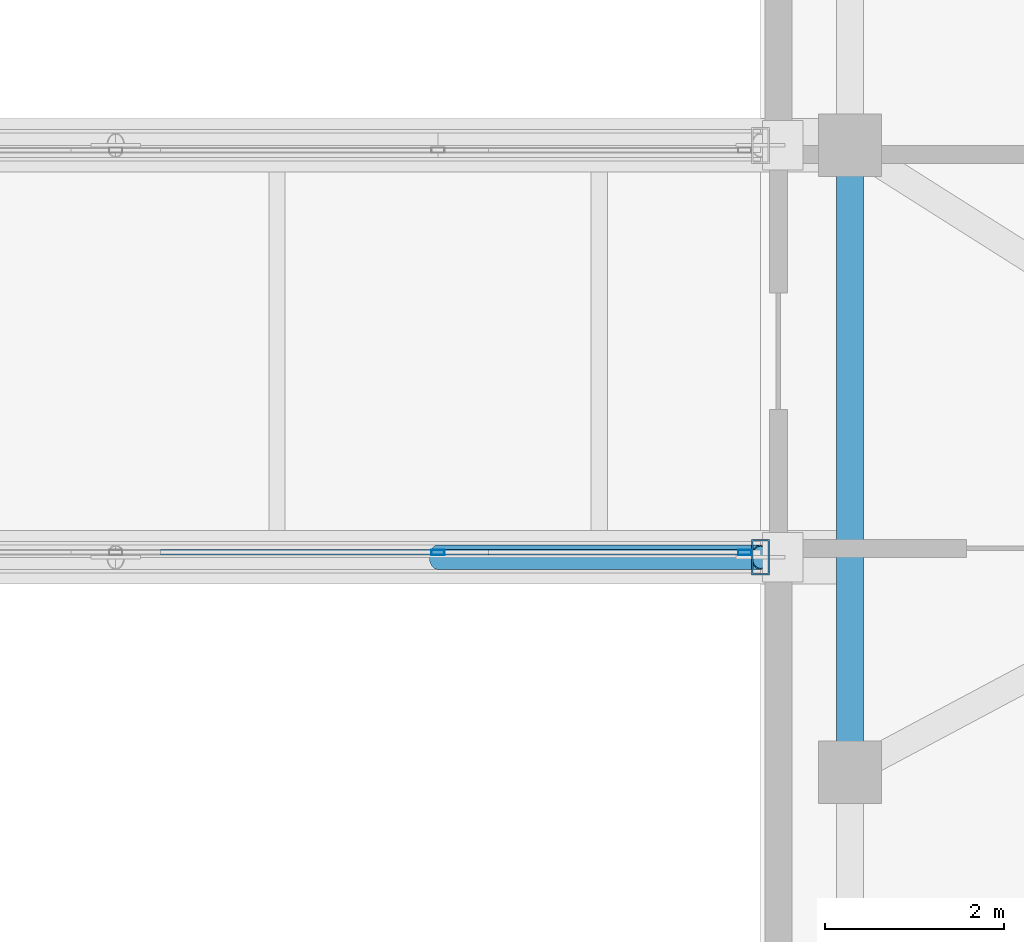
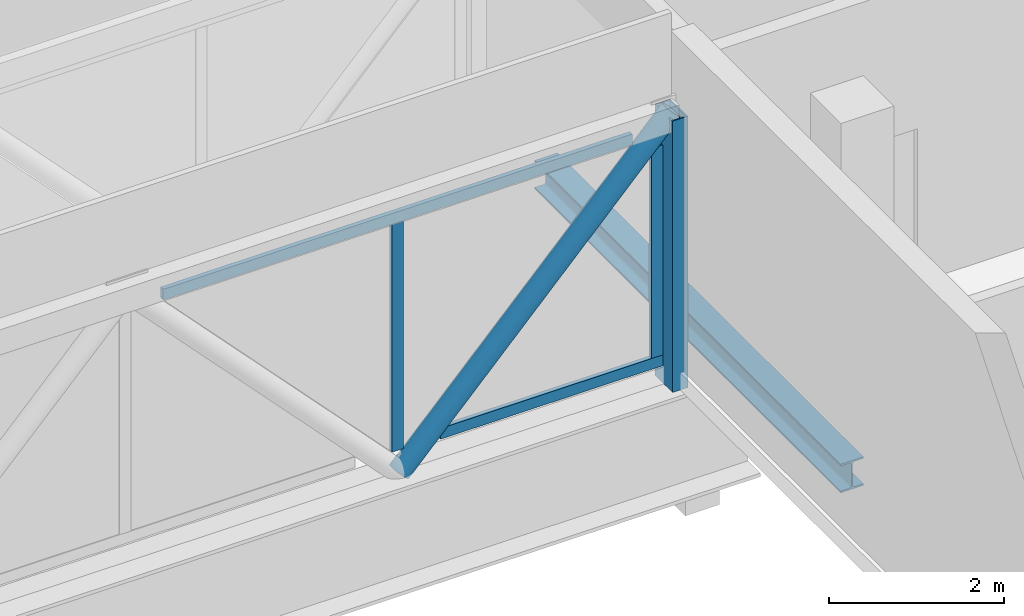
# One storey, part 6 of 17: 6 members, 1 beam, 2 elements without a shape of their own.
"""IFC4 building model written with IfcOpenShell, lengths in metres."""

from ifc_helpers import new_model, si_unit, direction, frame, origin, origin_2d, place, context, subcontext, project, spatial, hollow_rectangle, hollow_circle, i_section, extrude, material, material_profile, profile_set, type_object, element, aggregate, save


model = new_model("IFC4")

# Units and contexts
model_context = context("Model", 3, precision=1e-05, world=origin(), true_north=direction((0.0, 1.0)))
body_context = subcontext(model_context, "Body", "Model", "MODEL_VIEW")
ifc_project = project(units=[si_unit("LENGTHUNIT", "METRE"), si_unit("AREAUNIT", "SQUARE_METRE"), si_unit("VOLUMEUNIT", "CUBIC_METRE"), si_unit("PLANEANGLEUNIT", "RADIAN"), si_unit("MASSUNIT", "GRAM", prefix="KILO")], contexts=[model_context])

# Site, building, storey
site_placement = place(None, origin())
site = spatial("IfcSite", under=ifc_project, at=site_placement, CompositionType="ELEMENT")
building_placement = place(site_placement, origin())
building = spatial("IfcBuilding", under=site, at=building_placement, Name="Kuzgunbayir Cultural Tower", CompositionType="ELEMENT")
storey_placement = place(building_placement, frame((0.0, 0.0, 102.60009765625)))
storey = spatial("IfcBuildingStorey", under=building, at=storey_placement, Name="L29", CompositionType="ELEMENT", Elevation=102.60009765625)

# Beam
ifc_material_1 = material(Name="Steel S355J2", Category="steel")
ifc_material_profile_1 = material_profile(ifc_material_1, i_section(OverallWidth=0.300048828125, OverallDepth=0.39990234375, WebThickness=0.013427734375, FlangeThickness=0.02392578125, FilletRadius=0.027099609375, at=origin_2d()), Name="HEB 400")
ifc_profile_set_1 = profile_set([ifc_material_profile_1], Name="Steel S355J2")
beam_type = type_object("IfcBeamType", Name="BM-EXT-HEB400", PredefinedType="BEAM", material=ifc_profile_set_1)
beam_placement = place(storey_placement, frame((58.60009765625, 28.800048828125, -0.440185546875), z_axis=(0.0, 1.0, 0.0), x_axis=(-1.0, 0.0, 0.0)))
element("IfcBeam", 1, at=beam_placement, inside=storey, type_object=beam_type, Name="L29 Companion West Girder", PredefinedType="BEAM", context=body_context, shape_type="SweptSolid", body=[
    extrude(i_section(OverallWidth=0.300048828125, OverallDepth=0.39990234375, WebThickness=0.013427734375, FlangeThickness=0.02392578125, FilletRadius=0.027099609375, at=origin_2d()), origin(), (0.0, 0.0, 1.0), 7.0),
])

# Curtain wall, member
ifc_material_2 = material(Name="Anodised Aluminium Framing", Category="aluminium")
curtain_wall_type = type_object("IfcCurtainWallType", Name="CW05-SKYBRIDGE", PredefinedType="NOTDEFINED", material=ifc_material_2)
curtain_wall_1_placement = place(storey_placement, origin())
curtain_wall_1 = element("IfcCurtainWall", 2, at=curtain_wall_1_placement, inside=storey, type_object=curtain_wall_type, Name="L29 Skybridge South Curtain Wall Run 3 Fitted Between Truss Members", PredefinedType="NOTDEFINED")
ifc_material_profile_2 = material_profile(ifc_material_2, hollow_rectangle(XDim=0.06005859375, YDim=0.14990234375, WallThickness=0.00390625, at=origin_2d()), Name="RHS 150x60x4")
ifc_profile_set_2 = profile_set([ifc_material_profile_2], Name="Anodised Aluminium Framing")
member_type_1 = type_object("IfcMemberType", Name="MEM-CW-MULLION-150", PredefinedType="MULLION", material=ifc_profile_set_2)
member_1_placement = place(storey_placement, frame((54.0, 31.2548828125, 0.0419921875), z_axis=(0.0, 0.0, 1.0), x_axis=(0.0, 1.0, 0.0)))
member_1 = element("IfcMember", 3, at=member_1_placement, type_object=member_type_1, Name="CW05 mullion 3.1", PredefinedType="MULLION", context=body_context, shape_type="SweptSolid", body=[
    extrude(hollow_rectangle(XDim=0.06005859375, YDim=0.14990234375, WallThickness=0.00390625, at=origin_2d()), origin(), (0.0, 0.0, 1.0), 3.182861328125),
])

curtain_wall_2_placement = place(storey_placement, origin())
curtain_wall_2 = element("IfcCurtainWall", 4, at=curtain_wall_2_placement, inside=storey, type_object=curtain_wall_type, Name="L29 Skybridge South Curtain Wall Run 4 Fitted Between Truss Members", PredefinedType="NOTDEFINED")
member_2_placement = place(storey_placement, frame((57.425048828125, 31.2548828125, 0.14990234375), z_axis=(0.0, 0.0, 1.0), x_axis=(0.0, 1.0, 0.0)))
member_2 = element("IfcMember", 5, at=member_2_placement, type_object=member_type_1, Name="CW05 mullion 4.1", PredefinedType="MULLION", context=body_context, shape_type="SweptSolid", body=[
    extrude(hollow_rectangle(XDim=0.06005859375, YDim=0.14990234375, WallThickness=0.00390625, at=origin_2d()), origin(), (0.0, 0.0, 1.0), 2.93408203125),
])

# Member
ifc_material_profile_3 = material_profile(ifc_material_2, hollow_rectangle(XDim=0.06005859375, YDim=0.14990234375, WallThickness=0.00390625, at=origin_2d()), Name="RHS 150x60x4")
ifc_profile_set_3 = profile_set([ifc_material_profile_3], Name="Anodised Aluminium Framing")
member_type_2 = type_object("IfcMemberType", Name="MEM-CW-TRANSOM-150", PredefinedType="USERDEFINED", material=ifc_profile_set_3)
member_3_placement = place(storey_placement, frame((50.90087890625, 31.2548828125, 3.2998046875), z_axis=(1.0, 0.0, 0.0), x_axis=(0.0, 1.0, 0.0)))
member_3 = element("IfcMember", 6, at=member_3_placement, type_object=member_type_2, Name="CW05 transom 3.1", ObjectType="TRANSOM", PredefinedType="USERDEFINED", context=body_context, shape_type="SweptSolid", body=[
    extrude(hollow_rectangle(XDim=0.06005859375, YDim=0.14990234375, WallThickness=0.00390625, at=origin_2d()), origin(), (0.0, 0.0, 1.0), 6.1982421875),
])

aggregate(curtain_wall_1, [member_1, member_3])

member_4_placement = place(storey_placement, frame((54.56298828125, 31.2548828125, 0.074951171875), z_axis=(1.0, 0.0, 0.0), x_axis=(0.0, 1.0, 0.0)))
member_4 = element("IfcMember", 7, at=member_4_placement, type_object=member_type_2, Name="CW05 transom 4.1", ObjectType="TRANSOM", PredefinedType="USERDEFINED", context=body_context, shape_type="SweptSolid", body=[
    extrude(hollow_rectangle(XDim=0.06005859375, YDim=0.14990234375, WallThickness=0.00390625, at=origin_2d()), origin(), (0.0, 0.0, 1.0), 2.93701171875),
])

aggregate(curtain_wall_2, [member_2, member_4])

# Members
ifc_material_3 = material(Name="Steel S460M", Category="steel")
ifc_material_profile_4 = material_profile(ifc_material_3, hollow_circle(Radius=0.136474609375, WallThickness=0.012451171875, at=origin_2d()), Name="CHS 273x12.5")
ifc_profile_set_4 = profile_set([ifc_material_profile_4], Name="Steel S460M")
member_type_3 = type_object("IfcMemberType", Name="MEM-SBG-CHS273", PredefinedType="BRACE", material=ifc_profile_set_4)
member_5_placement = place(storey_placement, frame((54.0, 31.199951171875, -0.239990234375), z_axis=(0.688728594239, 0.0, 0.725019257315), x_axis=(0.0, 1.0, 0.0)))
element("IfcMember", 8, at=member_5_placement, inside=storey, type_object=member_type_3, Name="L29 Skybridge Truss Diagonal S3", PredefinedType="BRACE", context=body_context, shape_type="SweptSolid", body=[
    extrude(hollow_circle(Radius=0.136474609375, WallThickness=0.012451171875, at=origin_2d()), origin(), (0.0, 0.0, 1.0), 5.22705078125),
])
ifc_material_profile_5 = material_profile(ifc_material_3, hollow_rectangle(XDim=0.199951171875, YDim=0.39990234375, WallThickness=0.01611328125, at=origin_2d()), Name="RHS 400x200x16")
ifc_profile_set_5 = profile_set([ifc_material_profile_5], Name="Steel S460M")
member_type_4 = type_object("IfcMemberType", Name="MEM-STR-RHS400", PredefinedType="STRUT", material=ifc_profile_set_5)
member_6_placement = place(storey_placement, frame((57.60009765625, 31.199951171875, -0.239990234375), z_axis=(0.0, 0.0, 1.0), x_axis=(1.0, 0.0, 0.0)))
element("IfcMember", 9, at=member_6_placement, inside=storey, type_object=member_type_4, Name="L29 Skybridge Truss End Post SE", PredefinedType="STRUT", context=body_context, shape_type="SweptSolid", body=[
    extrude(hollow_rectangle(XDim=0.199951171875, YDim=0.39990234375, WallThickness=0.01611328125, at=origin_2d()), origin(), (0.0, 0.0, 1.0), 3.789794921875),
])

save(model, "model.ifc")
